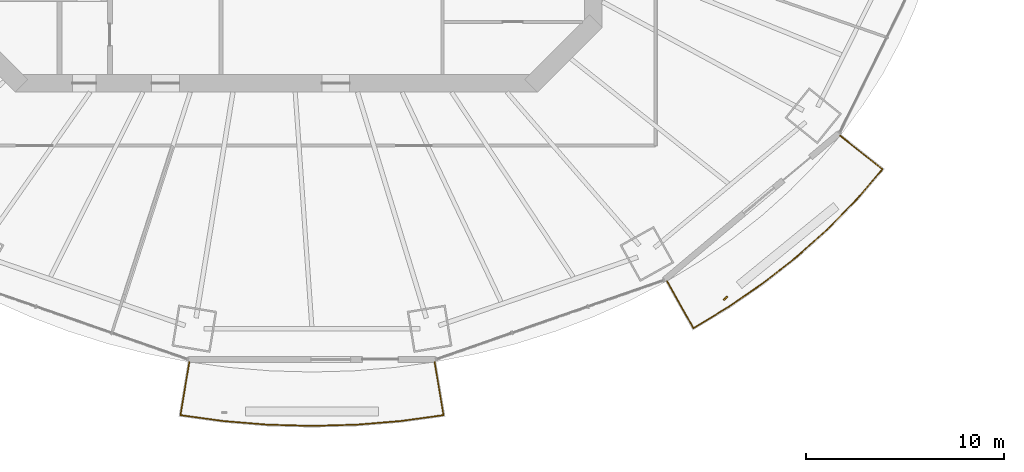
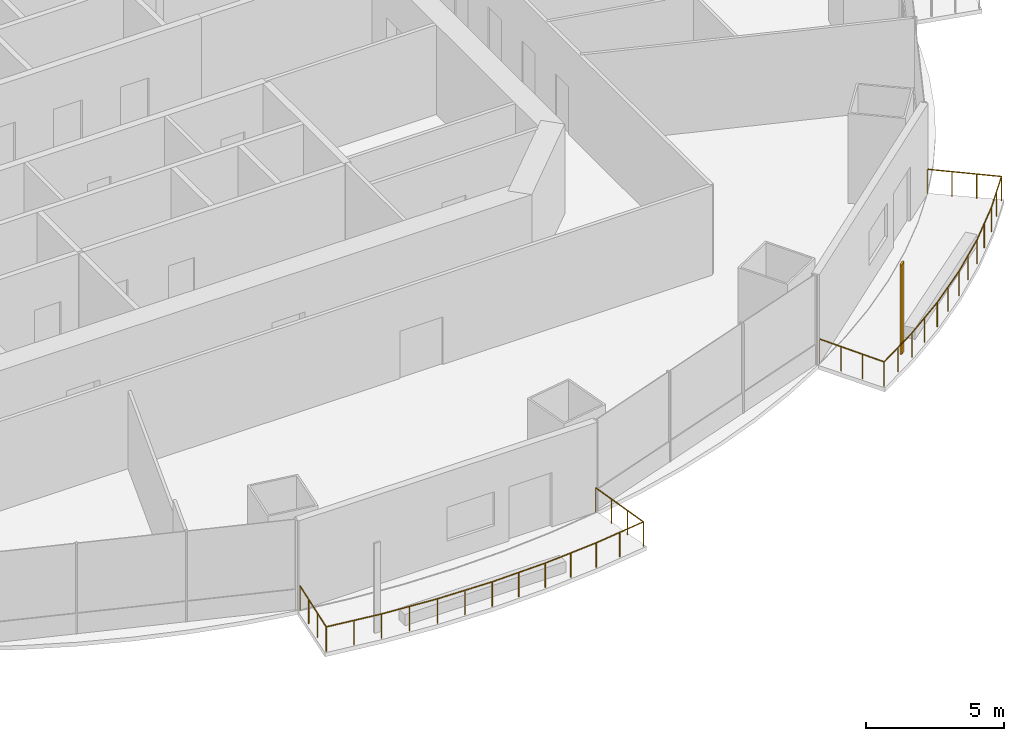
# One storey, part 16 of 20: 2 railings, 1 shading device.
"""IFC4 building model written with IfcOpenShell, lengths in metres."""

from ifc_helpers import new_model, si_unit, direction, frame, origin, origin_2d, place, context, subcontext, project, spatial, rectangle, circle, extrude, material, material_profile, profile_set, type_object, element, save


model = new_model("IFC4")

# Units and contexts
model_context = context("Model", 3, precision=1e-05, world=origin(), true_north=direction((0.0, 1.0)))
body_context = subcontext(model_context, "Body", "Model", "MODEL_VIEW")
ifc_project = project(units=[si_unit("LENGTHUNIT", "METRE"), si_unit("AREAUNIT", "SQUARE_METRE"), si_unit("VOLUMEUNIT", "CUBIC_METRE"), si_unit("PLANEANGLEUNIT", "RADIAN"), si_unit("MASSUNIT", "GRAM", prefix="KILO")], contexts=[model_context])

# Site, building, storey
site_placement = place(None, origin())
site = spatial("IfcSite", under=ifc_project, at=site_placement, CompositionType="ELEMENT")
building_placement = place(site_placement, origin())
building = spatial("IfcBuilding", under=site, at=building_placement, Name="Marenthal Gate Tower", CompositionType="ELEMENT")
storey_placement = place(building_placement, frame((0.0, 0.0, 194.25)))
storey = spatial("IfcBuildingStorey", under=building, at=storey_placement, Name="L42", CompositionType="ELEMENT", Elevation=194.25)

# Railings
ifc_material_1 = material(Name="Stainless steel", Category="steel")
railing_type = type_object("IfcRailingType", Name="Balcony guard 1100", PredefinedType="GUARDRAIL", material=ifc_material_1)
railing_1_placement = place(storey_placement, frame((7.990234375, -27.07568359375, 0.0)))
element("IfcRailing", 1, at=railing_1_placement, inside=storey, type_object=railing_type, Name="Balcony guard L42 bay 12", PredefinedType="GUARDRAIL", context=body_context, shape_type="SweptSolid", body=[
    extrude(circle(Radius=0.02392578125, at=origin_2d()), frame((0.0, 0.0, 1.076171875), z_axis=(0.16486141703, -0.98620691984, -0.01471816679), x_axis=(0.986313755456, 0.164879276438, 0.0)), (0.0, 0.0, 1.0), 2.720458984375),
    extrude(circle(Radius=0.02392578125, at=origin_2d()), frame((0.448486328125, -2.682861328125, 1.0361328125), z_axis=(-0.990664759644, -0.136320702755, 0.0), x_axis=(0.136320702755, -0.990664759644, 0.0)), (0.0, 0.0, 1.0), 2.165283203125),
    extrude(circle(Radius=0.02392578125, at=origin_2d()), frame((-1.696533203125, -2.97802734375, 1.0361328125), z_axis=(-0.996603137393, -0.082354031713, 0.0), x_axis=(0.082354031713, -0.996603137393, 0.0)), (0.0, 0.0, 1.0), 2.25),
    extrude(circle(Radius=0.02392578125, at=origin_2d()), frame((-3.93896484375, -3.163330078125, 1.0361328125), z_axis=(-0.999620829683, -0.027535374768, 0.0), x_axis=(0.027535374768, -0.999620829683, 0.0)), (0.0, 0.0, 1.0), 2.251953125),
    extrude(circle(Radius=0.02392578125, at=origin_2d()), frame((-6.190185546875, -3.225341796875, 1.0361328125), z_axis=(-0.999620829683, 0.027535374768, 0.0), x_axis=(-0.027535374768, -0.999620829683, 0.0)), (0.0, 0.0, 1.0), 2.251953125),
    extrude(circle(Radius=0.02392578125, at=origin_2d()), frame((-8.44140625, -3.163330078125, 1.0361328125), z_axis=(-0.996603137393, 0.082354031713, 0.0), x_axis=(-0.082354031713, -0.996603137393, 0.0)), (0.0, 0.0, 1.0), 2.25),
    extrude(circle(Radius=0.02392578125, at=origin_2d()), frame((-10.683837890625, -2.97802734375, 1.0361328125), z_axis=(-0.990664759644, 0.136320702755, 0.0), x_axis=(-0.136320702755, -0.990664759644, 0.0)), (0.0, 0.0, 1.0), 2.165283203125),
    extrude(circle(Radius=0.02392578125, at=origin_2d()), frame((-12.828857421875, -2.682861328125, 1.0361328125), z_axis=(0.164774109377, 0.986221507592, 0.014718384498), x_axis=(-0.986328347949, 0.164791959854, 0.0)), (0.0, 0.0, 1.0), 2.720458984375),
    extrude(circle(Radius=0.02099609375, at=origin_2d()), origin(), (0.0, 0.0, 1.0), 1.052001953125),
    extrude(circle(Radius=0.02099609375, at=origin_2d()), frame((0.1494140625, -0.894287109375, -0.013427734375)), (0.0, 0.0, 1.0), 1.052001953125),
    extrude(circle(Radius=0.02099609375, at=origin_2d()), frame((0.299072265625, -1.78857421875, -0.026611328125)), (0.0, 0.0, 1.0), 1.052001953125),
    extrude(circle(Radius=0.02099609375, at=origin_2d()), frame((0.448486328125, -2.682861328125, -0.0400390625)), (0.0, 0.0, 1.0), 1.052001953125),
    extrude(circle(Radius=0.02099609375, at=origin_2d()), frame((-0.6240234375, -2.83056640625, -0.0400390625)), (0.0, 0.0, 1.0), 1.052001953125),
    extrude(circle(Radius=0.02099609375, at=origin_2d()), frame((-1.696533203125, -2.97802734375, -0.0400390625)), (0.0, 0.0, 1.0), 1.052001953125),
    extrude(circle(Radius=0.02099609375, at=origin_2d()), frame((-2.81787109375, -3.07080078125, -0.0400390625)), (0.0, 0.0, 1.0), 1.052001953125),
    extrude(circle(Radius=0.02099609375, at=origin_2d()), frame((-3.93896484375, -3.163330078125, -0.0400390625)), (0.0, 0.0, 1.0), 1.052001953125),
    extrude(circle(Radius=0.02099609375, at=origin_2d()), frame((-5.064453125, -3.1943359375, -0.0400390625)), (0.0, 0.0, 1.0), 1.052001953125),
    extrude(circle(Radius=0.02099609375, at=origin_2d()), frame((-6.190185546875, -3.225341796875, -0.0400390625)), (0.0, 0.0, 1.0), 1.052001953125),
    extrude(circle(Radius=0.02099609375, at=origin_2d()), frame((-7.31591796875, -3.1943359375, -0.0400390625)), (0.0, 0.0, 1.0), 1.052001953125),
    extrude(circle(Radius=0.02099609375, at=origin_2d()), frame((-8.44140625, -3.163330078125, -0.0400390625)), (0.0, 0.0, 1.0), 1.052001953125),
    extrude(circle(Radius=0.02099609375, at=origin_2d()), frame((-9.5625, -3.07080078125, -0.0400390625)), (0.0, 0.0, 1.0), 1.052001953125),
    extrude(circle(Radius=0.02099609375, at=origin_2d()), frame((-10.683837890625, -2.97802734375, -0.0400390625)), (0.0, 0.0, 1.0), 1.052001953125),
    extrude(circle(Radius=0.02099609375, at=origin_2d()), frame((-11.75634765625, -2.83056640625, -0.0400390625)), (0.0, 0.0, 1.0), 1.052001953125),
    extrude(circle(Radius=0.02099609375, at=origin_2d()), frame((-12.828857421875, -2.682861328125, -0.0400390625)), (0.0, 0.0, 1.0), 1.052001953125),
    extrude(circle(Radius=0.02099609375, at=origin_2d()), frame((-12.679443359375, -1.78857421875, -0.026611328125)), (0.0, 0.0, 1.0), 1.052001953125),
    extrude(circle(Radius=0.02099609375, at=origin_2d()), frame((-12.530029296875, -0.894287109375, -0.013427734375)), (0.0, 0.0, 1.0), 1.052001953125),
    extrude(circle(Radius=0.02099609375, at=origin_2d()), frame((-12.380615234375, 0.0, 0.0)), (0.0, 0.0, 1.0), 1.052001953125),
])
railing_2_placement = place(storey_placement, frame((28.469482421875, -15.65234375, 0.0)))
element("IfcRailing", 2, at=railing_2_placement, inside=storey, type_object=railing_type, Name="Balcony guard L42 bay 14", PredefinedType="GUARDRAIL", context=body_context, shape_type="SweptSolid", body=[
    extrude(circle(Radius=0.02392578125, at=origin_2d()), frame((0.0, 0.0, 1.076171875), z_axis=(0.782654389214, -0.622282483065, -0.01471795893), x_axis=(0.622349892908, 0.782739171626, 0.0)), (0.0, 0.0, 1.0), 2.720458984375),
    extrude(circle(Radius=0.02392578125, at=origin_2d()), frame((2.129150390625, -1.69287109375, 1.0361328125), z_axis=(-0.650216061313, -0.7597493492, 0.0), x_axis=(0.7597493492, -0.650216061313, 0.0)), (0.0, 0.0, 1.0), 1.99267578125),
    extrude(circle(Radius=0.02392578125, at=origin_2d()), frame((0.83349609375, -3.206787109375, 1.0361328125), z_axis=(-0.698941095917, -0.715179239379, 0.0), x_axis=(0.715179239379, -0.698941095917, 0.0)), (0.0, 0.0, 1.0), 2.08984375),
    extrude(circle(Radius=0.02392578125, at=origin_2d()), frame((-0.627197265625, -4.701416015625, 1.0361328125), z_axis=(-0.744571425907, -0.667542801416, 0.0), x_axis=(0.667542801416, -0.744571425907, 0.0)), (0.0, 0.0, 1.0), 2.107666015625),
    extrude(circle(Radius=0.02392578125, at=origin_2d()), frame((-2.196533203125, -6.1083984375, 1.0361328125), z_axis=(-0.786051281146, -0.61816129239, 0.0), x_axis=(0.61816129239, -0.786051281146, 0.0)), (0.0, 0.0, 1.0), 2.1259765625),
    extrude(circle(Radius=0.02392578125, at=origin_2d()), frame((-3.86767578125, -7.422607421875, 1.0361328125), z_axis=(-0.823420107604, -0.567432221849, 0.0), x_axis=(0.567432221849, -0.823420107604, 0.0)), (0.0, 0.0, 1.0), 2.14404296875),
    extrude(circle(Radius=0.02392578125, at=origin_2d()), frame((-5.633056640625, -8.63916015625, 1.0361328125), z_axis=(-0.856237767515, -0.516581925236, 0.0), x_axis=(0.516581925236, -0.856237767515, 0.0)), (0.0, 0.0, 1.0), 2.080810546875),
    extrude(circle(Radius=0.02392578125, at=origin_2d()), frame((-7.414794921875, -9.714111328125, 1.0361328125), z_axis=(-0.489585880475, 0.871830841967, 0.014718988891), x_axis=(-0.871925297796, -0.48963892315, 0.0)), (0.0, 0.0, 1.0), 2.72021484375),
    extrude(circle(Radius=0.02099609375, at=origin_2d()), origin(), (0.0, 0.0, 1.0), 1.052001953125),
    extrude(circle(Radius=0.02099609375, at=origin_2d()), frame((0.709716796875, -0.564208984375, -0.013427734375)), (0.0, 0.0, 1.0), 1.052001953125),
    extrude(circle(Radius=0.02099609375, at=origin_2d()), frame((1.41943359375, -1.128662109375, -0.026611328125)), (0.0, 0.0, 1.0), 1.052001953125),
    extrude(circle(Radius=0.02099609375, at=origin_2d()), frame((2.129150390625, -1.69287109375, -0.0400390625)), (0.0, 0.0, 1.0), 1.052001953125),
    extrude(circle(Radius=0.02099609375, at=origin_2d()), frame((1.4814453125, -2.44970703125, -0.0400390625)), (0.0, 0.0, 1.0), 1.052001953125),
    extrude(circle(Radius=0.02099609375, at=origin_2d()), frame((0.83349609375, -3.206787109375, -0.0400390625)), (0.0, 0.0, 1.0), 1.052001953125),
    extrude(circle(Radius=0.02099609375, at=origin_2d()), frame((0.10302734375, -3.9541015625, -0.0400390625)), (0.0, 0.0, 1.0), 1.052001953125),
    extrude(circle(Radius=0.02099609375, at=origin_2d()), frame((-0.627197265625, -4.701416015625, -0.0400390625)), (0.0, 0.0, 1.0), 1.052001953125),
    extrude(circle(Radius=0.02099609375, at=origin_2d()), frame((-1.411865234375, -5.40478515625, -0.0400390625)), (0.0, 0.0, 1.0), 1.052001953125),
    extrude(circle(Radius=0.02099609375, at=origin_2d()), frame((-2.196533203125, -6.1083984375, -0.0400390625)), (0.0, 0.0, 1.0), 1.052001953125),
    extrude(circle(Radius=0.02099609375, at=origin_2d()), frame((-3.0322265625, -6.765625, -0.0400390625)), (0.0, 0.0, 1.0), 1.052001953125),
    extrude(circle(Radius=0.02099609375, at=origin_2d()), frame((-3.86767578125, -7.422607421875, -0.0400390625)), (0.0, 0.0, 1.0), 1.052001953125),
    extrude(circle(Radius=0.02099609375, at=origin_2d()), frame((-4.75048828125, -8.03076171875, -0.0400390625)), (0.0, 0.0, 1.0), 1.052001953125),
    extrude(circle(Radius=0.02099609375, at=origin_2d()), frame((-5.633056640625, -8.63916015625, -0.0400390625)), (0.0, 0.0, 1.0), 1.052001953125),
    extrude(circle(Radius=0.02099609375, at=origin_2d()), frame((-6.52392578125, -9.1767578125, -0.0400390625)), (0.0, 0.0, 1.0), 1.052001953125),
    extrude(circle(Radius=0.02099609375, at=origin_2d()), frame((-7.414794921875, -9.714111328125, -0.0400390625)), (0.0, 0.0, 1.0), 1.052001953125),
    extrude(circle(Radius=0.02099609375, at=origin_2d()), frame((-7.858642578125, -8.923583984375, -0.026611328125)), (0.0, 0.0, 1.0), 1.052001953125),
    extrude(circle(Radius=0.02099609375, at=origin_2d()), frame((-8.302734375, -8.133056640625, -0.013427734375)), (0.0, 0.0, 1.0), 1.052001953125),
    extrude(circle(Radius=0.02099609375, at=origin_2d()), frame((-8.74658203125, -7.342529296875, 0.0)), (0.0, 0.0, 1.0), 1.052001953125),
])

# Shading device
ifc_material_2 = material(Name="Terracotta", Category="masonry")
ifc_material_profile = material_profile(ifc_material_2, rectangle(XDim=0.25, YDim=0.080078125, at=origin_2d()), Name="Terracotta baguette 250x80")
ifc_profile_set = profile_set([ifc_material_profile], Name="Terracotta")
shading_device_type = type_object("IfcShadingDeviceType", Name="Terracotta BAGUETTE SCREEN 250x80", PredefinedType="USERDEFINED", material=ifc_profile_set)
shading_device_placement = place(storey_placement, frame((22.675537109375, -23.85498046875, -0.0400390625), z_axis=(0.0, 0.0, 1.0), x_axis=(0.765779593212, 0.64310311352, 0.0)))
element("IfcShadingDevice", 3, at=shading_device_placement, inside=storey, type_object=shading_device_type, Name="Terracotta BAGUETTE L42 bay 14L", ObjectType="BAGUETTE SCREEN", PredefinedType="USERDEFINED", context=body_context, shape_type="SweptSolid", body=[
    extrude(rectangle(XDim=0.25, YDim=0.080078125, at=origin_2d()), origin(), (0.0, 0.0, 1.0), 3.969970703125),
])

save(model, "model.ifc")
